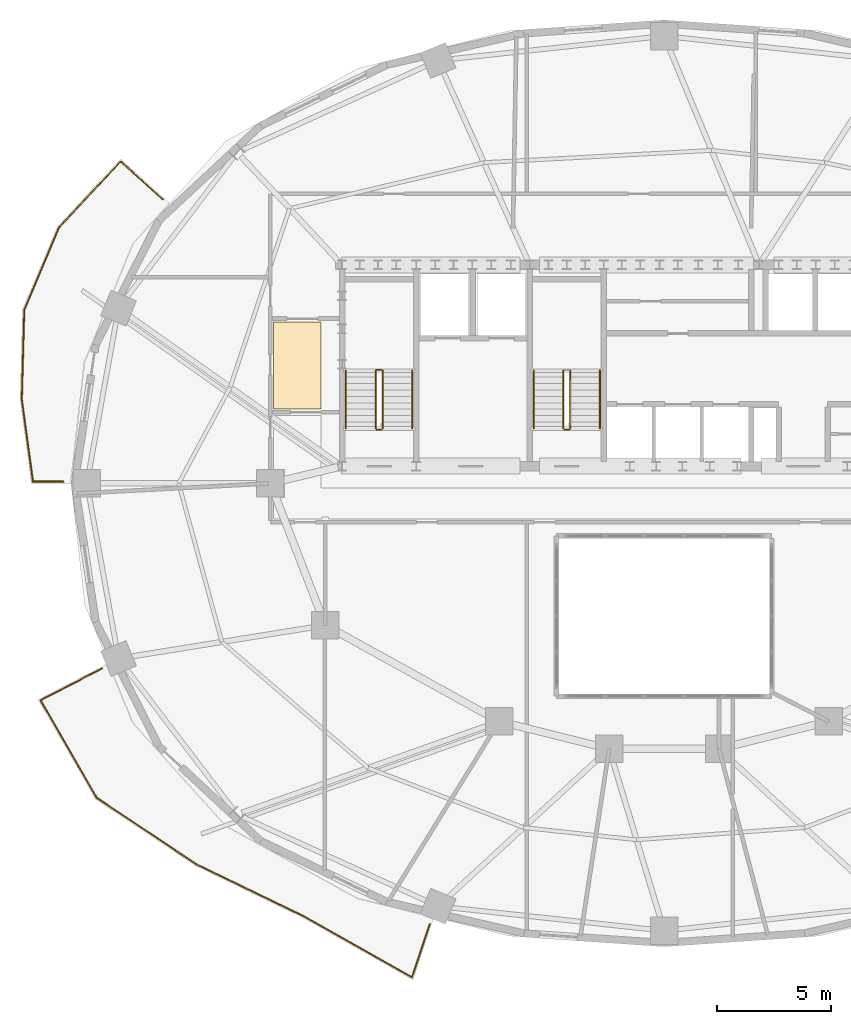
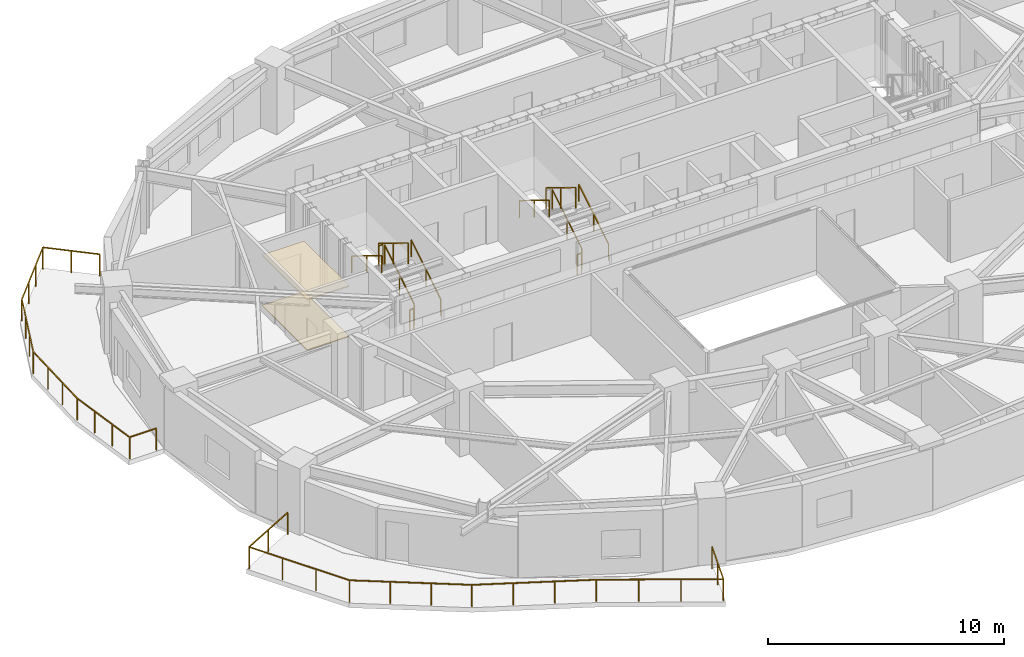
# One storey, part 9 of 11: 13 railings, 2 coverings.
"""IFC4 building model written with IfcOpenShell, lengths in metres."""

from ifc_helpers import new_model, si_unit, direction, frame, origin, origin_2d, place, context, subcontext, project, spatial, polyline, rectangle, outline, extrude, material, layer, layer_set, type_object, element, save


model = new_model("IFC4")

# Units and contexts
model_context = context("Model", 3, precision=1e-05, world=origin(), true_north=direction((0.0, 1.0)))
body_context = subcontext(model_context, "Body", "Model", "MODEL_VIEW")
ifc_project = project(units=[si_unit("LENGTHUNIT", "METRE"), si_unit("AREAUNIT", "SQUARE_METRE"), si_unit("VOLUMEUNIT", "CUBIC_METRE"), si_unit("PLANEANGLEUNIT", "RADIAN"), si_unit("MASSUNIT", "GRAM", prefix="KILO")], contexts=[model_context])

# Site, building, storey
site_placement = place(None, origin())
site = spatial("IfcSite", under=ifc_project, at=site_placement, CompositionType="ELEMENT")
building_placement = place(site_placement, origin())
building = spatial("IfcBuilding", under=site, at=building_placement, Name="Haldorwick Loom Tower", CompositionType="ELEMENT")
storey_placement = place(building_placement, frame((0.0, 0.0, 171.699951171875)))
storey = spatial("IfcBuildingStorey", under=building, at=storey_placement, Name="L46", CompositionType="ELEMENT", Elevation=171.699951171875)

# Coverings
ifc_material_1 = material(Name="Mineral Fibre Acoustic Ceiling Tile")
ifc_layer_1 = layer(ifc_material_1, 0.054931640625, Name="Mineral Fibre Acoustic Ceiling Tile")
ifc_layer_set_1 = layer_set([ifc_layer_1], Name="Mineral Fibre Acoustic Ceiling Tile")
covering_type_1 = type_object("IfcCoveringType", Name="ARC-COV-CEIL2", PredefinedType="CEILING", material=ifc_layer_set_1)
covering_1_placement = place(storey_placement, frame((0.0, 0.0, 2.594970703125)))
element("IfcCovering", 1, at=covering_1_placement, inside=storey, type_object=covering_type_1, Name="L46 Acoustic Suspended Ceiling 2", PredefinedType="CEILING", context=body_context, shape_type="SweptSolid", body=[
    extrude(outline(polyline([(18.93994140625, 29.239990234375), (21.0, 29.239990234375), (21.0, 33.06005859375), (18.93994140625, 33.06005859375), (18.93994140625, 29.239990234375)])), origin(), (0.0, 0.0, 1.0), 0.05517578125),
])
ifc_material_2 = material(Name="Polished Aggregate Terrazzo Finish")
ifc_layer_2 = layer(ifc_material_2, 0.044921875, Name="Polished Aggregate Terrazzo Finish")
ifc_layer_set_2 = layer_set([ifc_layer_2], Name="Polished Aggregate Terrazzo Finish")
covering_type_2 = type_object("IfcCoveringType", Name="ARC-COV-FLOOR2", PredefinedType="FLOORING", material=ifc_layer_set_2)
covering_2_placement = place(storey_placement, origin())
element("IfcCovering", 2, at=covering_2_placement, inside=storey, type_object=covering_type_2, Name="L46 Floor Finish 2", PredefinedType="FLOORING", context=body_context, shape_type="SweptSolid", body=[
    extrude(outline(polyline([(18.93994140625, 29.239990234375), (21.0, 29.239990234375), (21.0, 33.06005859375), (18.93994140625, 33.06005859375), (18.93994140625, 29.239990234375)])), origin(), (0.0, 0.0, 1.0), 0.045166015625),
])

# Railings
ifc_material_3 = material(Name="Galvanized Steel CSA G40.21 350W", Category="steel")
railing_type_1 = type_object("IfcRailingType", Name="ARC-RLG-BAL115", PredefinedType="BALUSTRADE", material=ifc_material_3)
railing_1_placement = place(storey_placement, frame((25.755859375, 6.728515625, 0.0)))
element("IfcRailing", 3, at=railing_1_placement, inside=storey, type_object=railing_type_1, Name="L46 Outdoor Terrace Guardrail SLB-L46-BAL_SW-1", PredefinedType="BALUSTRADE", context=body_context, shape_type="SweptSolid", body=[
    extrude(rectangle(XDim=0.048095703125, YDim=0.048095703125, at=origin_2d()), frame((0.0, 0.0, 1.1259765625), z_axis=(-0.318122031644, -0.948049773473, 0.0), x_axis=(0.948049773473, -0.318122031644, 0.0)), (0.0, 0.0, 1.0), 2.43505859375),
    extrude(rectangle(XDim=0.048095703125, YDim=0.048095703125, at=origin_2d()), frame((-0.774658203125, -2.30859375, 1.1259765625), z_axis=(-0.870535813637, 0.492105067212, 0.0), x_axis=(-0.492105067212, -0.870535813637, 0.0)), (0.0, 0.0, 1.0), 5.38427734375),
    extrude(rectangle(XDim=0.048095703125, YDim=0.048095703125, at=origin_2d()), frame((-5.4619140625, 0.341064453125, 1.1259765625), z_axis=(-0.884918222382, 0.465746432833, 0.0), x_axis=(-0.465746432833, -0.884918222382, 0.0)), (0.0, 0.0, 1.0), 0.005126953125),
    extrude(rectangle(XDim=0.048095703125, YDim=0.048095703125, at=origin_2d()), frame((-5.466552734375, 0.343505859375, 1.1259765625), z_axis=(-0.899741530377, 0.436423164503, 0.0), x_axis=(-0.436423164503, -0.899741530377, 0.0)), (0.0, 0.0, 1.0), 5.283203125),
    extrude(rectangle(XDim=0.048095703125, YDim=0.048095703125, at=origin_2d()), frame((-10.219970703125, 2.649169921875, 1.1259765625), z_axis=(-0.831587514247, 0.555393739746, 0.0), x_axis=(-0.555393739746, -0.831587514247, 0.0)), (0.0, 0.0, 1.0), 5.197509765625),
    extrude(rectangle(XDim=0.048095703125, YDim=0.048095703125, at=origin_2d()), frame((-14.542236328125, 5.535888671875, 1.1259765625), z_axis=(-0.499653669952, 0.866225265219, 0.0), x_axis=(-0.866225265219, -0.499653669952, 0.0)), (0.0, 0.0, 1.0), 4.91650390625),
    extrude(rectangle(XDim=0.048095703125, YDim=0.048095703125, at=origin_2d()), frame((-16.998779296875, 9.794677734375, 1.1259765625), z_axis=(0.88849659396, 0.45888321229, 0.0), x_axis=(-0.45888321229, 0.88849659396, 0.0)), (0.0, 0.0, 1.0), 3.02783203125),
    extrude(rectangle(XDim=0.0419921875, YDim=0.0419921875, at=origin_2d()), origin(), (0.0, 0.0, 1.0), 1.101806640625),
    extrude(rectangle(XDim=0.0419921875, YDim=0.0419921875, at=origin_2d()), frame((-0.38720703125, -1.154296875, 0.0)), (0.0, 0.0, 1.0), 1.101806640625),
    extrude(rectangle(XDim=0.0419921875, YDim=0.0419921875, at=origin_2d()), frame((-0.774658203125, -2.30859375, 0.0)), (0.0, 0.0, 1.0), 1.101806640625),
    extrude(rectangle(XDim=0.0419921875, YDim=0.0419921875, at=origin_2d()), frame((-2.337158203125, -1.42529296875, 0.0)), (0.0, 0.0, 1.0), 1.101806640625),
    extrude(rectangle(XDim=0.0419921875, YDim=0.0419921875, at=origin_2d()), frame((-3.8994140625, -0.542236328125, 0.0)), (0.0, 0.0, 1.0), 1.101806640625),
    extrude(rectangle(XDim=0.0419921875, YDim=0.0419921875, at=origin_2d()), frame((-5.4619140625, 0.341064453125, 0.0)), (0.0, 0.0, 1.0), 1.101806640625),
    extrude(rectangle(XDim=0.0419921875, YDim=0.0419921875, at=origin_2d()), frame((-7.051025390625, 1.112060546875, 0.0)), (0.0, 0.0, 1.0), 1.101806640625),
    extrude(rectangle(XDim=0.0419921875, YDim=0.0419921875, at=origin_2d()), frame((-8.635498046875, 1.880615234375, 0.0)), (0.0, 0.0, 1.0), 1.101806640625),
    extrude(rectangle(XDim=0.0419921875, YDim=0.0419921875, at=origin_2d()), frame((-10.219970703125, 2.649169921875, 0.0)), (0.0, 0.0, 1.0), 1.101806640625),
    extrude(rectangle(XDim=0.0419921875, YDim=0.0419921875, at=origin_2d()), frame((-11.66064453125, 3.611328125, 0.0)), (0.0, 0.0, 1.0), 1.101806640625),
    extrude(rectangle(XDim=0.0419921875, YDim=0.0419921875, at=origin_2d()), frame((-13.1015625, 4.57373046875, 0.0)), (0.0, 0.0, 1.0), 1.101806640625),
    extrude(rectangle(XDim=0.0419921875, YDim=0.0419921875, at=origin_2d()), frame((-14.542236328125, 5.535888671875, 0.0)), (0.0, 0.0, 1.0), 1.101806640625),
    extrude(rectangle(XDim=0.0419921875, YDim=0.0419921875, at=origin_2d()), frame((-15.361083984375, 6.95556640625, 0.0)), (0.0, 0.0, 1.0), 1.101806640625),
    extrude(rectangle(XDim=0.0419921875, YDim=0.0419921875, at=origin_2d()), frame((-16.179931640625, 8.375, 0.0)), (0.0, 0.0, 1.0), 1.101806640625),
    extrude(rectangle(XDim=0.0419921875, YDim=0.0419921875, at=origin_2d()), frame((-16.998779296875, 9.794677734375, 0.0)), (0.0, 0.0, 1.0), 1.101806640625),
    extrude(rectangle(XDim=0.0419921875, YDim=0.0419921875, at=origin_2d()), frame((-15.65380859375, 10.4892578125, 0.0)), (0.0, 0.0, 1.0), 1.101806640625),
    extrude(rectangle(XDim=0.0419921875, YDim=0.0419921875, at=origin_2d()), frame((-14.30859375, 11.18408203125, 0.0)), (0.0, 0.0, 1.0), 1.101806640625),
])
railing_2_placement = place(storey_placement, frame((9.73974609375, 26.080078125, 0.0)))
element("IfcRailing", 4, at=railing_2_placement, inside=storey, type_object=railing_type_1, Name="L46 Outdoor Terrace Guardrail SLB-L46-BAL_WNW-1", PredefinedType="BALUSTRADE", context=body_context, shape_type="SweptSolid", body=[
    extrude(rectangle(XDim=0.048095703125, YDim=0.048095703125, at=origin_2d()), frame((0.0, 0.0, 1.1259765625), z_axis=(-1.0, 0.0, 0.0), x_axis=(0.0, -1.0, 0.0)), (0.0, 0.0, 1.0), 1.313232421875),
    extrude(rectangle(XDim=0.048095703125, YDim=0.048095703125, at=origin_2d()), frame((-1.313232421875, 0.0, 1.1259765625), z_axis=(-0.133951807797, 0.990987847144, 0.0), x_axis=(-0.990987847144, -0.133951807797, 0.0)), (0.0, 0.0, 1.0), 3.630615234375),
    extrude(rectangle(XDim=0.048095703125, YDim=0.048095703125, at=origin_2d()), frame((-1.799560546875, 3.597900390625, 1.1259765625), z_axis=(0.0273664576, 0.999625468362, 0.0), x_axis=(-0.999625468362, 0.0273664576, 0.0)), (0.0, 0.0, 1.0), 3.907470703125),
    extrude(rectangle(XDim=0.048095703125, YDim=0.048095703125, at=origin_2d()), frame((-1.692626953125, 7.50390625, 1.1259765625), z_axis=(0.389591209707, 0.920987887716, 0.0), x_axis=(-0.920987887716, 0.389591209707, 0.0)), (0.0, 0.0, 1.0), 3.91845703125),
    extrude(rectangle(XDim=0.048095703125, YDim=0.048095703125, at=origin_2d()), frame((-0.166015625, 11.11279296875, 1.1259765625), z_axis=(0.683138961253, 0.73028840852, 0.0), x_axis=(-0.73028840852, 0.683138961253, 0.0)), (0.0, 0.0, 1.0), 3.93017578125),
    extrude(rectangle(XDim=0.048095703125, YDim=0.048095703125, at=origin_2d()), frame((2.518798828125, 13.98291015625, 1.1259765625), z_axis=(0.74343228508, -0.668811212152, 0.0), x_axis=(0.668811212152, 0.74343228508, 0.0)), (0.0, 0.0, 1.0), 2.46044921875),
    extrude(rectangle(XDim=0.0419921875, YDim=0.0419921875, at=origin_2d()), origin(), (0.0, 0.0, 1.0), 1.101806640625),
    extrude(rectangle(XDim=0.0419921875, YDim=0.0419921875, at=origin_2d()), frame((-1.313232421875, 0.0, 0.0)), (0.0, 0.0, 1.0), 1.101806640625),
    extrude(rectangle(XDim=0.0419921875, YDim=0.0419921875, at=origin_2d()), frame((-1.475341796875, 1.19921875, 0.0)), (0.0, 0.0, 1.0), 1.101806640625),
    extrude(rectangle(XDim=0.0419921875, YDim=0.0419921875, at=origin_2d()), frame((-1.637451171875, 2.398681640625, 0.0)), (0.0, 0.0, 1.0), 1.101806640625),
    extrude(rectangle(XDim=0.0419921875, YDim=0.0419921875, at=origin_2d()), frame((-1.799560546875, 3.597900390625, 0.0)), (0.0, 0.0, 1.0), 1.101806640625),
    extrude(rectangle(XDim=0.0419921875, YDim=0.0419921875, at=origin_2d()), frame((-1.763916015625, 4.89990234375, 0.0)), (0.0, 0.0, 1.0), 1.101806640625),
    extrude(rectangle(XDim=0.0419921875, YDim=0.0419921875, at=origin_2d()), frame((-1.728271484375, 6.201904296875, 0.0)), (0.0, 0.0, 1.0), 1.101806640625),
    extrude(rectangle(XDim=0.0419921875, YDim=0.0419921875, at=origin_2d()), frame((-1.692626953125, 7.50390625, 0.0)), (0.0, 0.0, 1.0), 1.101806640625),
    extrude(rectangle(XDim=0.0419921875, YDim=0.0419921875, at=origin_2d()), frame((-1.183837890625, 8.706787109375, 0.0)), (0.0, 0.0, 1.0), 1.101806640625),
    extrude(rectangle(XDim=0.0419921875, YDim=0.0419921875, at=origin_2d()), frame((-0.6748046875, 9.909912109375, 0.0)), (0.0, 0.0, 1.0), 1.101806640625),
    extrude(rectangle(XDim=0.0419921875, YDim=0.0419921875, at=origin_2d()), frame((-0.166015625, 11.11279296875, 0.0)), (0.0, 0.0, 1.0), 1.101806640625),
    extrude(rectangle(XDim=0.0419921875, YDim=0.0419921875, at=origin_2d()), frame((0.72900390625, 12.069580078125, 0.0)), (0.0, 0.0, 1.0), 1.101806640625),
    extrude(rectangle(XDim=0.0419921875, YDim=0.0419921875, at=origin_2d()), frame((1.623779296875, 13.026123046875, 0.0)), (0.0, 0.0, 1.0), 1.101806640625),
    extrude(rectangle(XDim=0.0419921875, YDim=0.0419921875, at=origin_2d()), frame((2.518798828125, 13.98291015625, 0.0)), (0.0, 0.0, 1.0), 1.101806640625),
    extrude(rectangle(XDim=0.0419921875, YDim=0.0419921875, at=origin_2d()), frame((3.433349609375, 13.16015625, 0.0)), (0.0, 0.0, 1.0), 1.101806640625),
    extrude(rectangle(XDim=0.0419921875, YDim=0.0419921875, at=origin_2d()), frame((4.347900390625, 12.33740234375, 0.0)), (0.0, 0.0, 1.0), 1.101806640625),
])
ifc_material_4 = material(Name="Steel CSA G40.21 350W", Category="steel")
railing_type_2 = type_object("IfcRailingType", Name="ARC-RLG-GUARD112", PredefinedType="GUARDRAIL", material=ifc_material_4)
railing_3_placement = place(storey_placement, frame((23.699951171875, 28.39990234375, 0.172607421875)))
element("IfcRailing", 5, at=railing_3_placement, inside=storey, type_object=railing_type_2, Name="L46 ST-01 stair guard 1", PredefinedType="GUARDRAIL", context=body_context, shape_type="SweptSolid", body=[
    extrude(rectangle(XDim=0.048095703125, YDim=0.048095703125, at=origin_2d()), frame((0.0, 0.0, 1.076171875), z_axis=(0.0, 0.851400495292, 0.524516154772), x_axis=(-1.0, 0.0, 0.0)), (0.0, 0.0, 1.0), 2.9599609375),
    extrude(rectangle(XDim=0.0419921875, YDim=0.0419921875, at=origin_2d()), origin(), (0.0, 0.0, 1.0), 1.052001953125),
    extrude(rectangle(XDim=0.0419921875, YDim=0.0419921875, at=origin_2d()), frame((0.0, 1.260009765625, 0.7763671875)), (0.0, 0.0, 1.0), 1.052001953125),
    extrude(rectangle(XDim=0.0419921875, YDim=0.0419921875, at=origin_2d()), frame((0.0, 2.52001953125, 1.552490234375)), (0.0, 0.0, 1.0), 1.052001953125),
])
railing_4_placement = place(storey_placement, frame((23.64990234375, 30.969970703125, 1.72509765625)))
element("IfcRailing", 6, at=railing_4_placement, inside=storey, type_object=railing_type_2, Name="L46 ST-01 stair guard 2", PredefinedType="GUARDRAIL", context=body_context, shape_type="SweptSolid", body=[
    extrude(rectangle(XDim=0.048095703125, YDim=0.048095703125, at=origin_2d()), frame((0.0, 0.0, 1.076171875), z_axis=(-1.0, 0.0, 0.0), x_axis=(0.0, -1.0, 0.0)), (0.0, 0.0, 1.0), 0.199951171875),
    extrude(rectangle(XDim=0.0419921875, YDim=0.0419921875, at=origin_2d()), origin(), (0.0, 0.0, 1.0), 1.052001953125),
    extrude(rectangle(XDim=0.0419921875, YDim=0.0419921875, at=origin_2d()), frame((-0.199951171875, 0.0, 0.0)), (0.0, 0.0, 1.0), 1.052001953125),
])
railing_5_placement = place(storey_placement, frame((23.39990234375, 30.919921875, 1.8974609375)))
element("IfcRailing", 7, at=railing_5_placement, inside=storey, type_object=railing_type_2, Name="L46 ST-01 stair guard 3", PredefinedType="GUARDRAIL", context=body_context, shape_type="SweptSolid", body=[
    extrude(rectangle(XDim=0.048095703125, YDim=0.048095703125, at=origin_2d()), frame((0.0, 0.0, 1.076171875), z_axis=(0.0, -0.851400495292, 0.524516154772), x_axis=(1.0, 0.0, 0.0)), (0.0, 0.0, 1.0), 2.9599609375),
    extrude(rectangle(XDim=0.0419921875, YDim=0.0419921875, at=origin_2d()), origin(), (0.0, 0.0, 1.0), 1.052001953125),
    extrude(rectangle(XDim=0.0419921875, YDim=0.0419921875, at=origin_2d()), frame((0.0, -1.260009765625, 0.7763671875)), (0.0, 0.0, 1.0), 1.052001953125),
    extrude(rectangle(XDim=0.0419921875, YDim=0.0419921875, at=origin_2d()), frame((0.0, -2.52001953125, 1.552490234375)), (0.0, 0.0, 1.0), 1.052001953125),
])
railing_6_placement = place(storey_placement, frame((23.64990234375, 28.35009765625, 0.0)))
element("IfcRailing", 8, at=railing_6_placement, inside=storey, type_object=railing_type_2, Name="L46 ST-01 stair guard 4", PredefinedType="GUARDRAIL", context=body_context, shape_type="SweptSolid", body=[
    extrude(rectangle(XDim=0.048095703125, YDim=0.048095703125, at=origin_2d()), frame((0.0, 0.0, 1.076171875), z_axis=(-1.0, 0.0, 0.0), x_axis=(0.0, -1.0, 0.0)), (0.0, 0.0, 1.0), 0.199951171875),
    extrude(rectangle(XDim=0.0419921875, YDim=0.0419921875, at=origin_2d()), origin(), (0.0, 0.0, 1.0), 1.052001953125),
    extrude(rectangle(XDim=0.0419921875, YDim=0.0419921875, at=origin_2d()), frame((-0.199951171875, 0.0, 0.0)), (0.0, 0.0, 1.0), 1.052001953125),
])
railing_7_placement = place(storey_placement, frame((31.89990234375, 28.39990234375, 0.172607421875)))
element("IfcRailing", 9, at=railing_7_placement, inside=storey, type_object=railing_type_2, Name="L46 ST-03 stair guard 1", PredefinedType="GUARDRAIL", context=body_context, shape_type="SweptSolid", body=[
    extrude(rectangle(XDim=0.048095703125, YDim=0.048095703125, at=origin_2d()), frame((0.0, 0.0, 1.076171875), z_axis=(0.0, 0.851400495292, 0.524516154772), x_axis=(-1.0, 0.0, 0.0)), (0.0, 0.0, 1.0), 2.9599609375),
    extrude(rectangle(XDim=0.0419921875, YDim=0.0419921875, at=origin_2d()), origin(), (0.0, 0.0, 1.0), 1.052001953125),
    extrude(rectangle(XDim=0.0419921875, YDim=0.0419921875, at=origin_2d()), frame((0.0, 1.260009765625, 0.7763671875)), (0.0, 0.0, 1.0), 1.052001953125),
    extrude(rectangle(XDim=0.0419921875, YDim=0.0419921875, at=origin_2d()), frame((0.0, 2.52001953125, 1.552490234375)), (0.0, 0.0, 1.0), 1.052001953125),
])
railing_8_placement = place(storey_placement, frame((31.60009765625, 30.919921875, 1.8974609375)))
element("IfcRailing", 10, at=railing_8_placement, inside=storey, type_object=railing_type_2, Name="L46 ST-03 stair guard 3", PredefinedType="GUARDRAIL", context=body_context, shape_type="SweptSolid", body=[
    extrude(rectangle(XDim=0.048095703125, YDim=0.048095703125, at=origin_2d()), frame((0.0, 0.0, 1.076171875), z_axis=(0.0, -0.851400495292, 0.524516154772), x_axis=(1.0, 0.0, 0.0)), (0.0, 0.0, 1.0), 2.9599609375),
    extrude(rectangle(XDim=0.0419921875, YDim=0.0419921875, at=origin_2d()), origin(), (0.0, 0.0, 1.0), 1.052001953125),
    extrude(rectangle(XDim=0.0419921875, YDim=0.0419921875, at=origin_2d()), frame((0.0, -1.260009765625, 0.7763671875)), (0.0, 0.0, 1.0), 1.052001953125),
    extrude(rectangle(XDim=0.0419921875, YDim=0.0419921875, at=origin_2d()), frame((0.0, -2.52001953125, 1.552490234375)), (0.0, 0.0, 1.0), 1.052001953125),
])
railing_9_placement = place(storey_placement, frame((31.85009765625, 28.35009765625, 0.0)))
element("IfcRailing", 11, at=railing_9_placement, inside=storey, type_object=railing_type_2, Name="L46 ST-03 stair guard 4", PredefinedType="GUARDRAIL", context=body_context, shape_type="SweptSolid", body=[
    extrude(rectangle(XDim=0.048095703125, YDim=0.048095703125, at=origin_2d()), frame((0.0, 0.0, 1.076171875), z_axis=(-1.0, 0.0, 0.0), x_axis=(0.0, -1.0, 0.0)), (0.0, 0.0, 1.0), 0.2001953125),
    extrude(rectangle(XDim=0.0419921875, YDim=0.0419921875, at=origin_2d()), origin(), (0.0, 0.0, 1.0), 1.052001953125),
    extrude(rectangle(XDim=0.0419921875, YDim=0.0419921875, at=origin_2d()), frame((-0.2001953125, 0.0, 0.0)), (0.0, 0.0, 1.0), 1.052001953125),
])
railing_type_3 = type_object("IfcRailingType", Name="ARC-RLG-HAND092", PredefinedType="HANDRAIL", material=ifc_material_4)
railing_10_placement = place(storey_placement, frame((25.0, 28.39990234375, 0.172607421875)))
element("IfcRailing", 12, at=railing_10_placement, inside=storey, type_object=railing_type_3, Name="L46 ST-01 stair handrail 1", PredefinedType="HANDRAIL", context=body_context, shape_type="SweptSolid", body=[
    extrude(rectangle(XDim=0.048095703125, YDim=0.048095703125, at=origin_2d()), frame((0.0, 0.0, 0.8759765625), z_axis=(0.0, 0.851400495292, 0.524516154772), x_axis=(-1.0, 0.0, 0.0)), (0.0, 0.0, 1.0), 2.9599609375),
    extrude(rectangle(XDim=0.0419921875, YDim=0.0419921875, at=origin_2d()), origin(), (0.0, 0.0, 1.0), 0.851806640625),
    extrude(rectangle(XDim=0.0419921875, YDim=0.0419921875, at=origin_2d()), frame((0.0, 1.260009765625, 0.7763671875)), (0.0, 0.0, 1.0), 0.851806640625),
    extrude(rectangle(XDim=0.0419921875, YDim=0.0419921875, at=origin_2d()), frame((0.0, 2.52001953125, 1.552490234375)), (0.0, 0.0, 1.0), 0.851806640625),
])
railing_11_placement = place(storey_placement, frame((22.10009765625, 30.919921875, 1.8974609375)))
element("IfcRailing", 13, at=railing_11_placement, inside=storey, type_object=railing_type_3, Name="L46 ST-01 stair handrail 2", PredefinedType="HANDRAIL", context=body_context, shape_type="SweptSolid", body=[
    extrude(rectangle(XDim=0.048095703125, YDim=0.048095703125, at=origin_2d()), frame((0.0, 0.0, 0.8759765625), z_axis=(0.0, -0.851400495292, 0.524516154772), x_axis=(1.0, 0.0, 0.0)), (0.0, 0.0, 1.0), 2.9599609375),
    extrude(rectangle(XDim=0.0419921875, YDim=0.0419921875, at=origin_2d()), origin(), (0.0, 0.0, 1.0), 0.851806640625),
    extrude(rectangle(XDim=0.0419921875, YDim=0.0419921875, at=origin_2d()), frame((0.0, -1.260009765625, 0.7763671875)), (0.0, 0.0, 1.0), 0.851806640625),
    extrude(rectangle(XDim=0.0419921875, YDim=0.0419921875, at=origin_2d()), frame((0.0, -2.52001953125, 1.552490234375)), (0.0, 0.0, 1.0), 0.851806640625),
])
railing_12_placement = place(storey_placement, frame((33.199951171875, 28.39990234375, 0.172607421875)))
element("IfcRailing", 14, at=railing_12_placement, inside=storey, type_object=railing_type_3, Name="L46 ST-03 stair handrail 1", PredefinedType="HANDRAIL", context=body_context, shape_type="SweptSolid", body=[
    extrude(rectangle(XDim=0.048095703125, YDim=0.048095703125, at=origin_2d()), frame((0.0, 0.0, 0.8759765625), z_axis=(0.0, 0.851400495292, 0.524516154772), x_axis=(-1.0, 0.0, 0.0)), (0.0, 0.0, 1.0), 2.9599609375),
    extrude(rectangle(XDim=0.0419921875, YDim=0.0419921875, at=origin_2d()), origin(), (0.0, 0.0, 1.0), 0.851806640625),
    extrude(rectangle(XDim=0.0419921875, YDim=0.0419921875, at=origin_2d()), frame((0.0, 1.260009765625, 0.7763671875)), (0.0, 0.0, 1.0), 0.851806640625),
    extrude(rectangle(XDim=0.0419921875, YDim=0.0419921875, at=origin_2d()), frame((0.0, 2.52001953125, 1.552490234375)), (0.0, 0.0, 1.0), 0.851806640625),
])
railing_13_placement = place(storey_placement, frame((30.300048828125, 30.919921875, 1.8974609375)))
element("IfcRailing", 15, at=railing_13_placement, inside=storey, type_object=railing_type_3, Name="L46 ST-03 stair handrail 2", PredefinedType="HANDRAIL", context=body_context, shape_type="SweptSolid", body=[
    extrude(rectangle(XDim=0.048095703125, YDim=0.048095703125, at=origin_2d()), frame((0.0, 0.0, 0.8759765625), z_axis=(0.0, -0.851400495292, 0.524516154772), x_axis=(1.0, 0.0, 0.0)), (0.0, 0.0, 1.0), 2.9599609375),
    extrude(rectangle(XDim=0.0419921875, YDim=0.0419921875, at=origin_2d()), origin(), (0.0, 0.0, 1.0), 0.851806640625),
    extrude(rectangle(XDim=0.0419921875, YDim=0.0419921875, at=origin_2d()), frame((0.0, -1.260009765625, 0.7763671875)), (0.0, 0.0, 1.0), 0.851806640625),
    extrude(rectangle(XDim=0.0419921875, YDim=0.0419921875, at=origin_2d()), frame((0.0, -2.52001953125, 1.552490234375)), (0.0, 0.0, 1.0), 0.851806640625),
])

save(model, "model.ifc")
